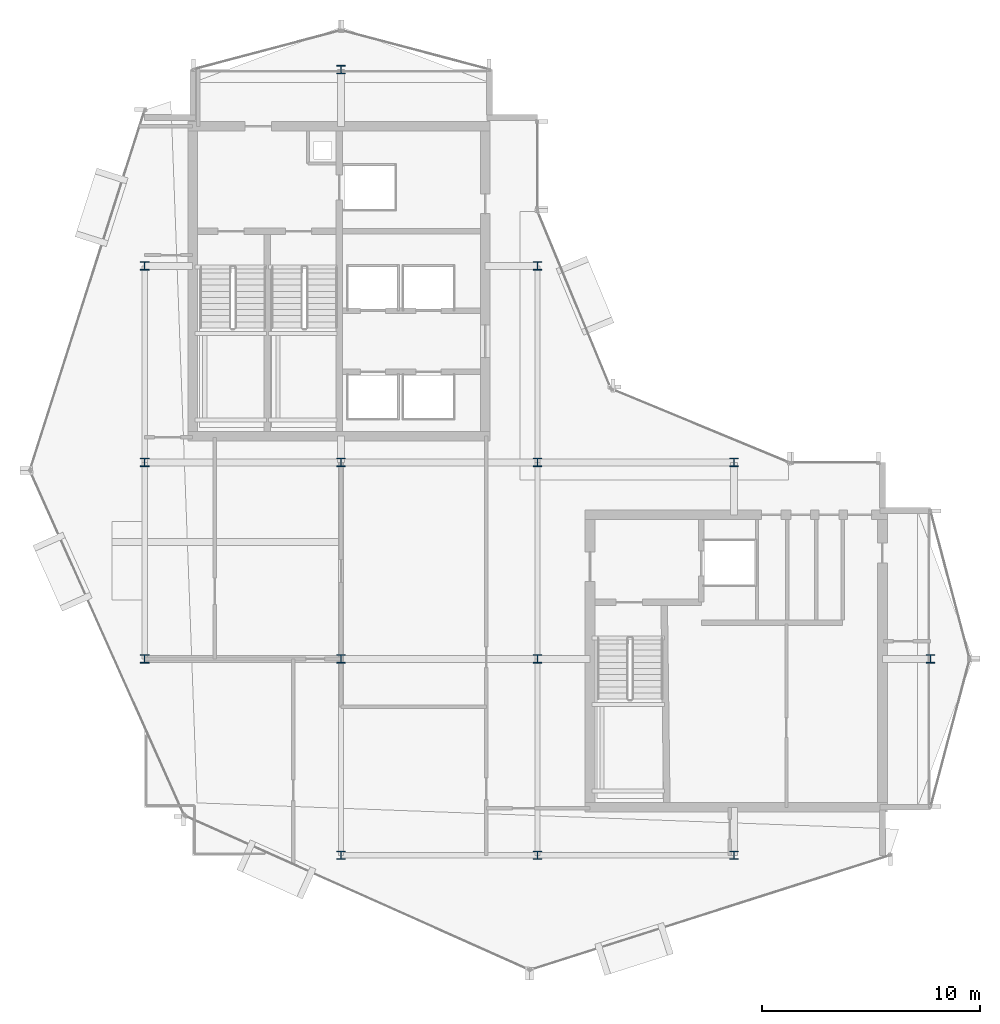
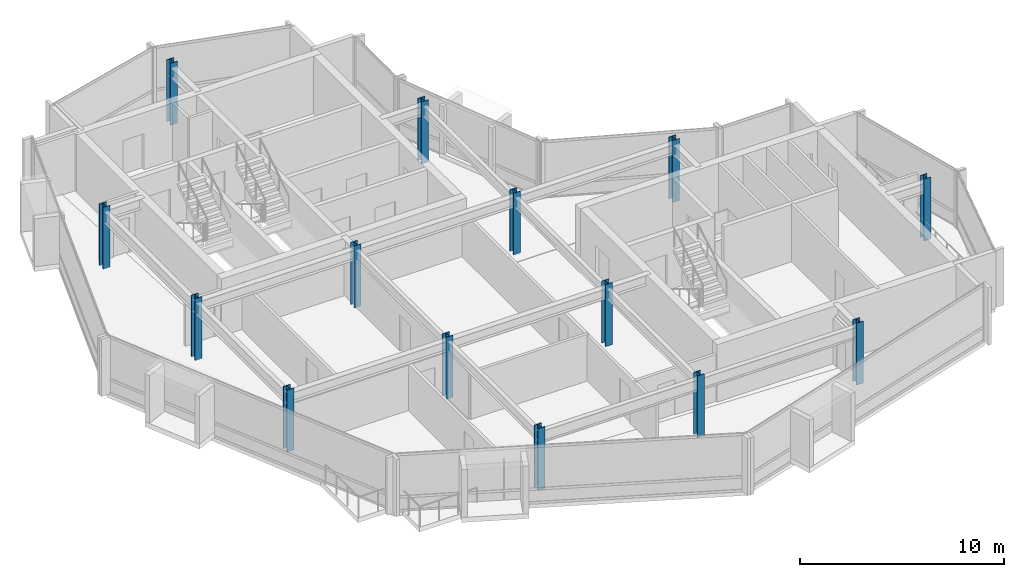
# One storey, part 1 of 19: 14 columns.
"""IFC4 building model written with IfcOpenShell, lengths in metres."""

from ifc_helpers import new_model, si_unit, direction, frame, origin, origin_2d, place, context, subcontext, project, spatial, i_section, extrude, material, material_profile, profile_set, type_object, element, save


model = new_model("IFC4")

# Units and contexts
model_context = context("Model", 3, precision=1e-05, world=origin(), true_north=direction((0.0, 1.0)))
body_context = subcontext(model_context, "Body", "Model", "MODEL_VIEW")
ifc_project = project(units=[si_unit("LENGTHUNIT", "METRE"), si_unit("AREAUNIT", "SQUARE_METRE"), si_unit("VOLUMEUNIT", "CUBIC_METRE"), si_unit("PLANEANGLEUNIT", "RADIAN"), si_unit("MASSUNIT", "GRAM", prefix="KILO")], contexts=[model_context])

# Site, building, storey
site_placement = place(None, origin())
site = spatial("IfcSite", under=ifc_project, at=site_placement, CompositionType="ELEMENT")
building_placement = place(site_placement, origin())
building = spatial("IfcBuilding", under=site, at=building_placement, Name="Solvaryn Broadcast Tower", CompositionType="ELEMENT")
storey_placement = place(building_placement, frame((0.0, 0.0, 259.300048828125)))
storey = spatial("IfcBuildingStorey", under=building, at=storey_placement, Name="L65", CompositionType="ELEMENT", Elevation=259.300048828125)

# Columns
ifc_material_1 = material(Name="Steel ASTM A913 Grade 65", Category="steel")
ifc_material_profile_1 = material_profile(ifc_material_1, i_section(OverallWidth=0.39697265625, OverallDepth=0.386962890625, WebThickness=0.02099609375, FlangeThickness=0.033203125, FilletRadius=0.014892578125, at=origin_2d()))
ifc_profile_set_1 = profile_set([ifc_material_profile_1], Name="Steel ASTM A913 Grade 65")
column_type_1 = type_object("IfcColumnType", Name="COL-C09E-W14X176", PredefinedType="COLUMN", material=ifc_profile_set_1)
for number, where, z_axis, x_axis, name in (
    (1, (9.0, 18.0, 0.0), (0.0, 0.0, 1.0), (1.0, 0.0, 0.0), "L65 Column (9.0, 18.0)"),
    (2, (9.0, 27.0, 0.0), (0.0, 0.0, 1.0), (1.0, 0.0, 0.0), "L65 Column (9.0, 27.0)"),
    (3, (9.0, 36.0, 0.0), (0.0, 0.0, 1.0), (1.0, 0.0, 0.0), "L65 Column (9.0, 36.0)"),
    (4, (18.0, 9.0, 0.0), (0.0, 0.0, 1.0), (1.0, 0.0, 0.0), "L65 Column (18.0, 9.0)"),
    (5, (18.0, 45.0, 0.0), (0.0, 0.0, 1.0), (1.0, 0.0, 0.0), "L65 Column (18.0, 45.0)"),
    (6, (27.0, 9.0, 0.0), (0.0, 0.0, 1.0), (1.0, 0.0, 0.0), "L65 Column (27.0, 9.0)"),
    (7, (27.0, 36.0, 0.0), (0.0, 0.0, 1.0), (1.0, 0.0, 0.0), "L65 Column (27.0, 36.0)"),
    (8, (36.0, 9.0, 0.0), (0.0, 0.0, 1.0), (1.0, 0.0, 0.0), "L65 Column (36.0, 9.0)"),
    (9, (36.0, 27.0, 0.0), (0.0, 0.0, 1.0), (1.0, 0.0, 0.0), "L65 Column (36.0, 27.0)"),
    (10, (45.0, 18.0, 0.0), (0.0, 0.0, 1.0), (1.0, 0.0, 0.0), "L65 Column (45.0, 18.0)"),
):
    element("IfcColumn", number, at=place(storey_placement, frame(where, z_axis=z_axis, x_axis=x_axis)), inside=storey, type_object=column_type_1, Name=name, PredefinedType="COLUMN", context=body_context, shape_type="SweptSolid", body=[
        extrude(i_section(OverallWidth=0.39697265625, OverallDepth=0.386962890625, WebThickness=0.02099609375, FlangeThickness=0.033203125, FilletRadius=0.014892578125, at=origin_2d()), origin(), (0.0, 0.0, 1.0), 3.699951171875),
    ])
ifc_material_2 = material(Name="Steel ASTM A913 Grade 65", Category="steel")
ifc_material_profile_2 = material_profile(ifc_material_2, i_section(OverallWidth=0.39697265625, OverallDepth=0.386962890625, WebThickness=0.02099609375, FlangeThickness=0.033203125, FilletRadius=0.014892578125, at=origin_2d()))
ifc_profile_set_2 = profile_set([ifc_material_profile_2], Name="Steel ASTM A913 Grade 65")
column_type_2 = type_object("IfcColumnType", Name="COL-C09I-W14X176", PredefinedType="COLUMN", material=ifc_profile_set_2)
for number, where, z_axis, x_axis, name in (
    (11, (18.0, 18.0, 0.0), (0.0, 0.0, 1.0), (1.0, 0.0, 0.0), "L65 Column (18.0, 18.0)"),
    (12, (18.0, 27.0, 0.0), (0.0, 0.0, 1.0), (1.0, 0.0, 0.0), "L65 Column (18.0, 27.0)"),
    (13, (27.0, 18.0, 0.0), (0.0, 0.0, 1.0), (1.0, 0.0, 0.0), "L65 Column (27.0, 18.0)"),
    (14, (27.0, 27.0, 0.0), (0.0, 0.0, 1.0), (1.0, 0.0, 0.0), "L65 Column (27.0, 27.0)"),
):
    element("IfcColumn", number, at=place(storey_placement, frame(where, z_axis=z_axis, x_axis=x_axis)), inside=storey, type_object=column_type_2, Name=name, PredefinedType="COLUMN", context=body_context, shape_type="SweptSolid", body=[
        extrude(i_section(OverallWidth=0.39697265625, OverallDepth=0.386962890625, WebThickness=0.02099609375, FlangeThickness=0.033203125, FilletRadius=0.014892578125, at=origin_2d()), origin(), (0.0, 0.0, 1.0), 3.699951171875),
    ])

save(model, "model.ifc")
